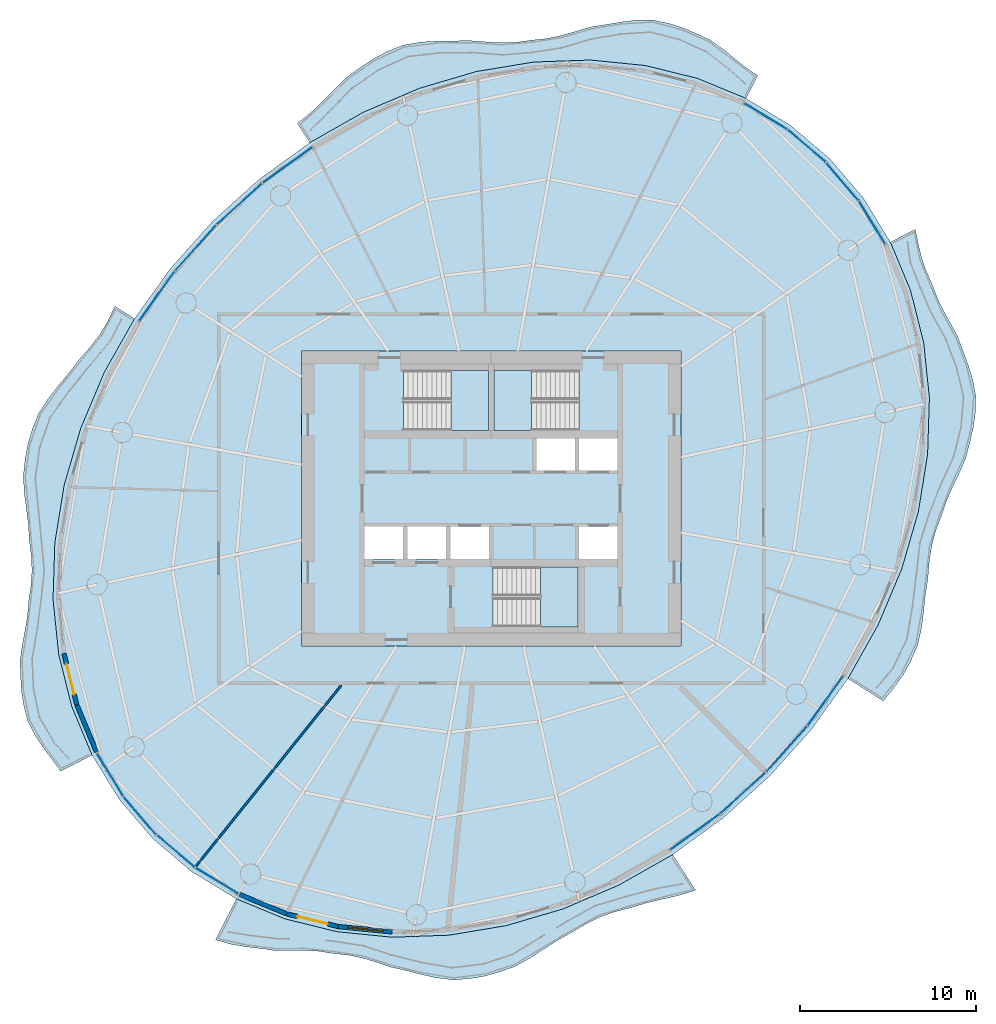
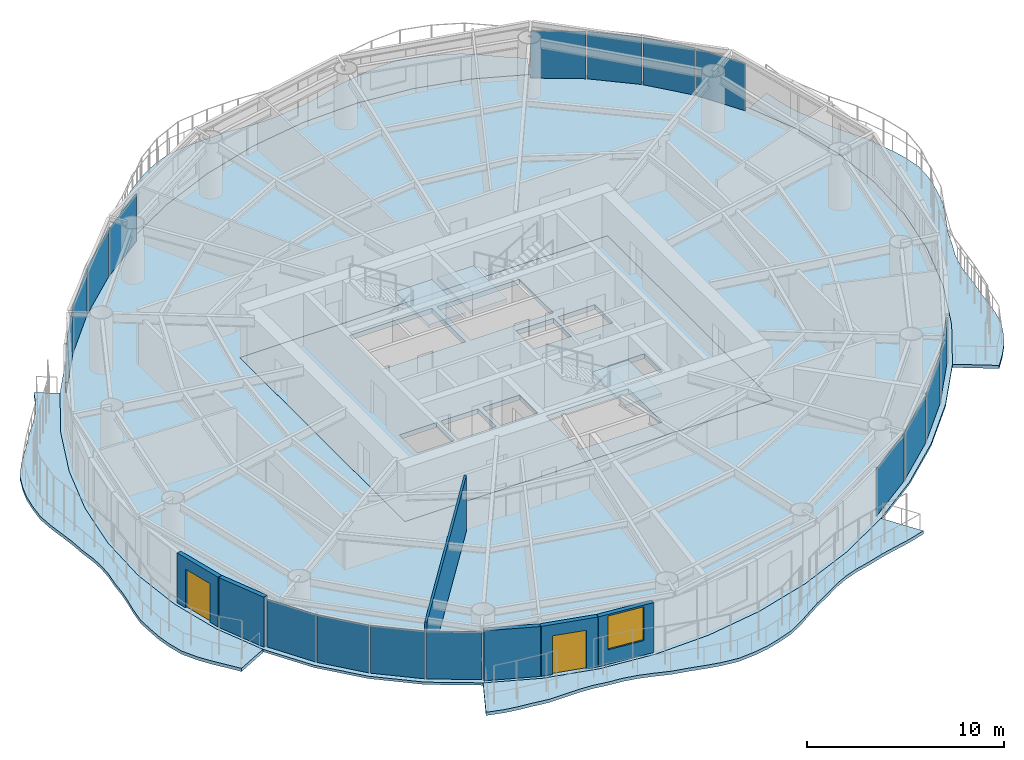
# One storey, part 7 of 14: 16 plates, 9 slabs, 6 walls, 2 doors, 1 window, 3 openings, 19 elements without a shape of their own.
"""IFC4 building model written with IfcOpenShell, lengths in metres."""

from ifc_helpers import new_model, si_unit, direction, frame, frame_2d, origin, origin_2d, place, context, subcontext, project, spatial, polyline, rectangle, outline, extrude, material, layer, layer_set, type_object, element, fill, aggregate, save


model = new_model("IFC4")

# Units and contexts
model_context = context("Model", 3, precision=1e-05, world=origin(), true_north=direction((0.0, 1.0)))
body_context = subcontext(model_context, "Body", "Model", "MODEL_VIEW")
ifc_project = project(units=[si_unit("LENGTHUNIT", "METRE"), si_unit("AREAUNIT", "SQUARE_METRE"), si_unit("VOLUMEUNIT", "CUBIC_METRE"), si_unit("PLANEANGLEUNIT", "RADIAN"), si_unit("MASSUNIT", "GRAM", prefix="KILO")], contexts=[model_context])

# Site, building, storey
site_placement = place(None, origin())
site = spatial("IfcSite", under=ifc_project, at=site_placement, CompositionType="ELEMENT")
building_placement = place(site_placement, origin())
building = spatial("IfcBuilding", under=site, at=building_placement, Name="Vermilion Reach Broadcast Tower", CompositionType="ELEMENT")
storey_placement = place(building_placement, frame((0.0, 0.0, 213.699951171875)))
storey = spatial("IfcBuildingStorey", under=building, at=storey_placement, Name="L52", CompositionType="ELEMENT", Elevation=213.699951171875)

# Slabs
ifc_material_1 = material(Name="Concrete C40/50", Category="concrete")
ifc_layer_1 = layer(ifc_material_1, 0.199951171875)
ifc_layer_set_1 = layer_set([ifc_layer_1], Name="Balcony slab 200")
slab_type_1 = type_object("IfcSlabType", Name="Balcony slab 200", PredefinedType="FLOOR", material=ifc_layer_set_1)
placement_1 = place(storey_placement, frame((0.0, 0.0, -0.199951171875)))
element("IfcSlab", 1, at=placement_1, inside=storey, type_object=slab_type_1, Name="Balcony slab L52 group 1", PredefinedType="FLOOR", context=body_context, shape_type="SweptSolid", body=[
    extrude(outline(polyline([(8.508544921875, 22.77734375), (5.734375, 23.91943359375), (2.75927734375, 24.65234375), (-0.365478515625, 24.963623046875), (-3.586669921875, 24.84765625), (-6.849365234375, 24.306396484375), (-10.097412109375, 23.349365234375), (-13.275146484375, 21.992919921875), (-16.32861328125, 20.260009765625), (-17.03466796875, 21.35888671875), (-16.281982421875, 21.9560546875), (-15.627197265625, 22.58056640625), (-14.9921875, 23.239990234375), (-14.2509765625, 23.962890625), (-13.430419921875, 24.556884765625), (-12.6982421875, 25.04150390625), (-11.93115234375, 25.4453125), (-10.98486328125, 25.819091796875), (-9.992431640625, 25.988037109375), (-9.125732421875, 26.042236328125), (-8.24560546875, 26.050048828125), (-7.254638671875, 26.07421875), (-6.291748046875, 25.99755859375), (-5.44580078125, 25.9501953125), (-4.611572265625, 25.973876953125), (-3.712158203125, 26.095703125), (-2.82861328125, 26.18798828125), (-2.0283203125, 26.355224609375), (-1.230224609375, 26.583740234375), (-0.3056640625, 26.853271484375), (0.626220703125, 26.99951171875), (1.428955078125, 27.13818359375), (2.227294921875, 27.231689453125), (3.204833984375, 27.241455078125), (4.136962890625, 27.041748046875), (4.869140625, 26.811279296875), (5.583984375, 26.510986328125), (6.45166015625, 26.11279296875), (7.222900390625, 25.564697265625), (7.82958984375, 25.068359375), (8.43994140625, 24.580810546875), (9.167236328125, 24.08056640625), (8.508544921875, 22.77734375)])), origin(), (0.0, 0.0, 1.0), 0.199951171875),
])
element("IfcSlab", 2, at=placement_1, inside=storey, type_object=slab_type_1, Name="Balcony slab L52 group 2", PredefinedType="FLOOR", context=body_context, shape_type="SweptSolid", body=[
    extrude(outline(polyline([(-26.302978515625, 10.24365234375), (-28.023193359375, 7.18310546875), (-29.3662109375, 3.99951171875), (-30.309814453125, 0.74755859375), (-30.837158203125, -2.517333984375), (-30.939697265625, -5.739013671875), (-30.615478515625, -8.862548828125), (-29.8701171875, -11.83447265625), (-28.71630859375, -14.603759765625), (-30.508056640625, -15.5185546875), (-31.060546875, -14.76806640625), (-31.5263671875, -14.1494140625), (-31.94580078125, -13.51171875), (-32.38134765625, -12.667236328125), (-32.618896484375, -11.734130859375), (-32.734375, -10.973388671875), (-32.783447265625, -10.196044921875), (-32.81982421875, -9.25146484375), (-32.68701171875, -8.288330078125), (-32.531982421875, -7.48291015625), (-32.3984375, -6.6796875), (-32.32080078125, -5.78857421875), (-32.187744140625, -4.89306640625), (-32.140380859375, -4.08837890625), (-32.178466796875, -3.28076171875), (-32.290771484375, -2.37744140625), (-32.3486328125, -1.435546875), (-32.457763671875, -0.58056640625), (-32.572021484375, 0.275390625), (-32.636474609375, 1.27099609375), (-32.523681640625, 2.271240234375), (-32.37353515625, 3.109130859375), (-32.1337890625, 3.9208984375), (-31.76416015625, 4.849853515625), (-31.204345703125, 5.712646484375), (-30.649658203125, 6.416015625), (-30.072509765625, 7.110107421875), (-29.471923828125, 7.89306640625), (-28.8193359375, 8.637451171875), (-28.27978515625, 9.341064453125), (-27.824951171875, 10.09228515625), (-27.42236328125, 10.956298828125), (-26.302978515625, 10.24365234375)])), origin(), (0.0, 0.0, 1.0), 0.199951171875),
])
element("IfcSlab", 3, at=placement_1, inside=storey, type_object=slab_type_1, Name="Balcony slab L52 group 3", PredefinedType="FLOOR", context=body_context, shape_type="SweptSolid", body=[
    extrude(outline(polyline([(-20.508544921875, -22.77734375), (-17.734375, -23.91943359375), (-14.75927734375, -24.65234375), (-11.634521484375, -24.963623046875), (-8.413330078125, -24.84765625), (-5.150634765625, -24.306396484375), (-1.902587890625, -23.349365234375), (1.275146484375, -21.992919921875), (4.32861328125, -20.260009765625), (5.636962890625, -22.29638671875), (4.645263671875, -22.59619140625), (3.751953125, -22.80029296875), (2.860595703125, -23.0078125), (1.91845703125, -23.29150390625), (0.992431640625, -23.530517578125), (0.177001953125, -23.82080078125), (-0.599609375, -24.20166015625), (-1.417236328125, -24.69970703125), (-2.251708984375, -25.159423828125), (-2.993896484375, -25.635986328125), (-3.733642578125, -26.120849609375), (-4.61962890625, -26.621826171875), (-5.550537109375, -26.94873046875), (-6.350830078125, -27.177001953125), (-7.165283203125, -27.318115234375), (-8.15673828125, -27.398193359375), (-9.132080078125, -27.276611328125), (-9.945068359375, -27.093994140625), (-10.759033203125, -26.882080078125), (-11.688720703125, -26.67431640625), (-12.564453125, -26.379638671875), (-13.330322265625, -26.148193359375), (-14.103271484375, -25.986572265625), (-14.97314453125, -25.8955078125), (-15.821533203125, -25.761962890625), (-16.599365234375, -25.71630859375), (-17.389404296875, -25.721923828125), (-18.324462890625, -25.72412109375), (-19.2353515625, -25.5947265625), (-20.008544921875, -25.502685546875), (-20.766357421875, -25.373291015625), (-21.688720703125, -25.113037109375), (-20.508544921875, -22.77734375)])), origin(), (0.0, 0.0, 1.0), 0.199951171875),
])
element("IfcSlab", 4, at=placement_1, inside=storey, type_object=slab_type_1, Name="Balcony slab L52 group 4", PredefinedType="FLOOR", context=body_context, shape_type="SweptSolid", body=[
    extrude(outline(polyline([(14.302978515625, -10.24365234375), (16.023193359375, -7.18310546875), (17.3662109375, -3.99951171875), (18.309814453125, -0.74755859375), (18.837158203125, 2.517333984375), (18.939697265625, 5.739013671875), (18.615478515625, 8.862548828125), (17.8701171875, 11.83447265625), (16.71630859375, 14.603759765625), (18.145263671875, 15.333251953125), (18.318603515625, 14.458984375), (18.49609375, 13.72021484375), (18.73681640625, 13.008056640625), (19.082763671875, 12.236572265625), (19.38623046875, 11.425048828125), (19.72900390625, 10.72119140625), (20.116455078125, 10.02880859375), (20.560546875, 9.20556640625), (20.888671875, 8.309326171875), (21.173095703125, 7.54931640625), (21.404296875, 6.7841796875), (21.583740234375, 5.833740234375), (21.551513671875, 4.849609375), (21.440673828125, 4.046875), (21.256103515625, 3.24658203125), (21.0126953125, 2.307861328125), (20.613525390625, 1.392822265625), (20.23876953125, 0.615966796875), (19.897705078125, -0.16650390625), (19.60400390625, -1.03857421875), (19.27734375, -1.90966796875), (19.063720703125, -2.72900390625), (18.9375, -3.57373046875), (18.857666015625, -4.5283203125), (18.71142578125, -5.504638671875), (18.6171875, -6.40234375), (18.50537109375, -7.292724609375), (18.289306640625, -8.29345703125), (17.88623046875, -9.23681640625), (17.466796875, -10.008056640625), (16.9599609375, -10.72998046875), (16.312744140625, -11.52294921875), (14.302978515625, -10.24365234375)])), origin(), (0.0, 0.0, 1.0), 0.199951171875),
])
ifc_material_2 = material(Name="Concrete C40", Category="concrete")
ifc_layer_2 = layer(ifc_material_2, 0.300048828125)
ifc_layer_set_2 = layer_set([ifc_layer_2], Name="Core floor slab 300 mm Concrete C40")
slab_type_2 = type_object("IfcSlabType", Name="Core floor slab 300 mm Concrete C40", PredefinedType="FLOOR", material=ifc_layer_set_2)
slab_5_placement = place(storey_placement, frame((0.0, 0.0, -0.300048828125)))
element("IfcSlab", 5, at=slab_5_placement, inside=storey, type_object=slab_type_2, Name="L52 core floor", PredefinedType="FLOOR", context=body_context, shape_type="SweptSolid", body=[
    extrude(outline(polyline([(-16.800048828125, -8.39990234375), (4.800048828125, -8.39990234375), (4.800048828125, 8.39990234375), (-16.800048828125, 8.39990234375), (-16.800048828125, -8.39990234375)]), holes=[polyline([(-3.433349609375, 1.60009765625), (-1.24169921875, 1.60009765625), (-1.24169921875, 3.429931640625), (-3.433349609375, 3.429931640625), (-3.433349609375, 1.60009765625)]), polyline([(-0.99169921875, 1.60009765625), (1.199951171875, 1.60009765625), (1.199951171875, 3.429931640625), (-0.99169921875, 3.429931640625), (-0.99169921875, 1.60009765625)]), polyline([(-13.199951171875, -3.429931640625), (-11.00830078125, -3.429931640625), (-11.00830078125, -1.60009765625), (-13.199951171875, -1.60009765625), (-13.199951171875, -3.429931640625)]), polyline([(-10.75830078125, -3.429931640625), (-8.566650390625, -3.429931640625), (-8.566650390625, -1.60009765625), (-10.75830078125, -1.60009765625), (-10.75830078125, -3.429931640625)]), polyline([(-8.316650390625, -3.429931640625), (-6.125, -3.429931640625), (-6.125, -1.60009765625), (-8.316650390625, -1.60009765625), (-8.316650390625, -3.429931640625)]), polyline([(-0.99169921875, -3.429931640625), (1.199951171875, -3.429931640625), (1.199951171875, -1.60009765625), (-0.99169921875, -1.60009765625), (-0.99169921875, -3.429931640625)]), polyline([(-10.999267578125, 3.8798828125), (-6.14990234375, 3.8798828125), (-6.14990234375, 7.300048828125), (-10.999267578125, 7.300048828125), (-10.999267578125, 3.8798828125)]), polyline([(-1.000732421875, 7.300048828125), (-5.85009765625, 7.300048828125), (-5.85009765625, 3.8798828125), (-1.000732421875, 3.8798828125), (-1.000732421875, 7.300048828125)]), polyline([(-5.8994140625, -7.300048828125), (-1.050048828125, -7.300048828125), (-1.050048828125, -3.8798828125), (-5.8994140625, -3.8798828125), (-5.8994140625, -7.300048828125)])]), origin(), (0.0, 0.0, 1.0), 0.300048828125),
])

# Stair, slab
ifc_material_3 = material(Name="Concrete C40", Category="concrete")
stair_type = type_object("IfcStairType", Name="Exit stair RC 22 risers 164 mm", PredefinedType="HALF_TURN_STAIR", material=ifc_material_3)
placement_2 = place(storey_placement, origin())
stair_1 = element("IfcStair", 6, at=placement_2, inside=storey, type_object=stair_type, Name="L52 Exit stair ST1", PredefinedType="HALF_TURN_STAIR")
ifc_material_4 = material(Name="Concrete C40", Category="concrete")
ifc_layer_3 = layer(ifc_material_4, 0.199951171875)
ifc_layer_set_3 = layer_set([ifc_layer_3], Name="Exit stair landing Concrete C40")
slab_type_3 = type_object("IfcSlabType", Name="Exit stair landing Concrete C40", PredefinedType="LANDING", material=ifc_layer_set_3)
placement_3 = place(storey_placement, frame((0.0, 0.0, 1.60009765625)))
slab_6 = element("IfcSlab", 7, at=placement_3, type_object=slab_type_3, Name="ST1 landing 1", PredefinedType="LANDING", context=body_context, shape_type="SweptSolid", body=[
    extrude(outline(polyline([(-8.300048828125, 3.8798828125), (-6.14990234375, 3.8798828125), (-6.14990234375, 7.300048828125), (-8.300048828125, 7.300048828125), (-8.300048828125, 3.8798828125)])), origin(), (0.0, 0.0, 1.0), 0.199951171875),
])
aggregate(stair_1, [slab_6])

stair_2 = element("IfcStair", 8, at=placement_2, inside=storey, type_object=stair_type, Name="L52 Exit stair ST2", PredefinedType="HALF_TURN_STAIR")
slab_7 = element("IfcSlab", 9, at=placement_3, type_object=slab_type_3, Name="ST2 landing 1", PredefinedType="LANDING", context=body_context, shape_type="SweptSolid", body=[
    extrude(outline(polyline([(-3.699951171875, 7.300048828125), (-5.85009765625, 7.300048828125), (-5.85009765625, 3.8798828125), (-3.699951171875, 3.8798828125), (-3.699951171875, 7.300048828125)])), origin(), (0.0, 0.0, 1.0), 0.199951171875),
])
aggregate(stair_2, [slab_7])

stair_3 = element("IfcStair", 10, at=placement_2, inside=storey, type_object=stair_type, Name="L52 Exit stair ST3", PredefinedType="HALF_TURN_STAIR")
slab_8 = element("IfcSlab", 11, at=placement_3, type_object=slab_type_3, Name="ST3 landing 1", PredefinedType="LANDING", context=body_context, shape_type="SweptSolid", body=[
    extrude(outline(polyline([(-3.199951171875, -7.300048828125), (-1.050048828125, -7.300048828125), (-1.050048828125, -3.8798828125), (-3.199951171875, -3.8798828125), (-3.199951171875, -7.300048828125)])), origin(), (0.0, 0.0, 1.0), 0.199951171875),
])
aggregate(stair_3, [slab_8])

# Slab
ifc_material_5 = material(Name="Concrete C40", Category="concrete")
ifc_layer_4 = layer(ifc_material_5, 0.14990234375)
ifc_layer_set_4 = layer_set([ifc_layer_4], Name="Floor slab Concrete C40 composite 150")
slab_type_4 = type_object("IfcSlabType", Name="Floor slab Concrete C40 composite 150", PredefinedType="FLOOR", material=ifc_layer_set_4)
slab_9_placement = place(storey_placement, frame((0.0, 0.0, -0.14990234375)))
element("IfcSlab", 12, at=slab_9_placement, inside=storey, type_object=slab_type_4, Name="Floor slab L52", PredefinedType="FLOOR", context=body_context, shape_type="SweptSolid", body=[
    extrude(outline(polyline([(13.26904296875, 19.349853515625), (11.034423828125, 21.245361328125), (8.508544921875, 22.77734375), (5.734375, 23.91943359375), (2.75927734375, 24.65234375), (-0.365478515625, 24.963623046875), (-3.586669921875, 24.84765625), (-6.849365234375, 24.306396484375), (-10.097412109375, 23.349365234375), (-13.275146484375, 21.992919921875), (-16.32861328125, 20.260009765625), (-19.205322265625, 18.180419921875), (-21.856201171875, 15.789794921875), (-24.235595703125, 13.129150390625), (-26.302978515625, 10.24365234375), (-28.023193359375, 7.18310546875), (-29.3662109375, 3.99951171875), (-30.309814453125, 0.74755859375), (-30.837158203125, -2.517333984375), (-30.939697265625, -5.739013671875), (-30.615478515625, -8.862548828125), (-29.8701171875, -11.83447265625), (-28.71630859375, -14.603759765625), (-27.173828125, -17.123291015625), (-25.26904296875, -19.349853515625), (-23.034423828125, -21.245361328125), (-20.508544921875, -22.77734375), (-17.734375, -23.91943359375), (-14.75927734375, -24.65234375), (-11.634521484375, -24.963623046875), (-8.413330078125, -24.84765625), (-5.150634765625, -24.306396484375), (-1.902587890625, -23.349365234375), (1.275146484375, -21.992919921875), (4.32861328125, -20.260009765625), (7.205322265625, -18.180419921875), (9.856201171875, -15.789794921875), (12.235595703125, -13.129150390625), (14.302978515625, -10.24365234375), (16.023193359375, -7.18310546875), (17.3662109375, -3.99951171875), (18.309814453125, -0.74755859375), (18.837158203125, 2.517333984375), (18.939697265625, 5.739013671875), (18.615478515625, 8.862548828125), (17.8701171875, 11.83447265625), (16.71630859375, 14.603759765625), (15.173828125, 17.123291015625), (13.26904296875, 19.349853515625)]), holes=[polyline([(-16.800048828125, -8.39990234375), (4.800048828125, -8.39990234375), (4.800048828125, 8.39990234375), (-16.800048828125, 8.39990234375), (-16.800048828125, -8.39990234375)])]), origin(), (0.0, 0.0, 1.0), 0.14990234375),
])

# Curtain wall, plate
ifc_material_6 = material(Name="Low-e laminated clear glass in aluminium frame", Category="aluminium")
curtain_wall_type = type_object("IfcCurtainWallType", Name="Slot curtain wall", PredefinedType="NOTDEFINED", material=ifc_material_6)
curtain_wall_1 = element("IfcCurtainWall", 13, at=placement_2, inside=storey, type_object=curtain_wall_type, Name="Slot curtain wall L52 46", PredefinedType="NOTDEFINED")
ifc_material_7 = material(Name="Low-e laminated clear glass", Category="glass")
ifc_layer_5 = layer(ifc_material_7, 0.028076171875)
ifc_layer_set_5 = layer_set([ifc_layer_5], Name="Slot glass panel")
plate_type = type_object("IfcPlateType", Name="Slot glass panel", PredefinedType="CURTAIN_PANEL", material=ifc_layer_set_5)
plate_1_placement = place(storey_placement, frame((15.68994140625, 15.707275390625, 0.0), z_axis=(0.0, 0.0, 1.0), x_axis=(-0.522133379761, 0.852863842439, 0.0)))
plate_1 = element("IfcPlate", 14, at=plate_1_placement, type_object=plate_type, Name="Slot glass panel L52 46", PredefinedType="CURTAIN_PANEL", context=body_context, shape_type="SweptSolid", body=[
    extrude(rectangle(XDim=2.8271484375, YDim=0.028076171875, at=origin_2d()), origin(), (0.0, 0.0, 1.0), 2.949951171875),
])
aggregate(curtain_wall_1, [plate_1])

curtain_wall_2 = element("IfcCurtainWall", 15, at=placement_2, inside=storey, type_object=curtain_wall_type, Name="Slot curtain wall L52 47", PredefinedType="NOTDEFINED")
plate_2_placement = place(storey_placement, frame((13.994140625, 18.042236328125, 0.0), z_axis=(0.0, 0.0, 1.0), x_axis=(-0.650068403519, 0.759875694272, 0.0)))
plate_2 = element("IfcPlate", 16, at=plate_2_placement, type_object=plate_type, Name="Slot glass panel L52 47", PredefinedType="CURTAIN_PANEL", context=body_context, shape_type="SweptSolid", body=[
    extrude(rectangle(XDim=2.802490234375, YDim=0.028076171875, at=origin_2d()), origin(), (0.0, 0.0, 1.0), 2.949951171875),
])
aggregate(curtain_wall_2, [plate_2])

curtain_wall_3 = element("IfcCurtainWall", 17, at=placement_2, inside=storey, type_object=curtain_wall_type, Name="Slot curtain wall L52 00", PredefinedType="NOTDEFINED")
plate_3_placement = place(storey_placement, frame((11.958251953125, 20.069580078125, 0.0), z_axis=(0.0, 0.0, 1.0), x_axis=(-0.762591924928, 0.646879862134, 0.0)))
plate_3 = element("IfcPlate", 18, at=plate_3_placement, type_object=plate_type, Name="Slot glass panel L52 00", PredefinedType="CURTAIN_PANEL", context=body_context, shape_type="SweptSolid", body=[
    extrude(rectangle(XDim=2.802490234375, YDim=0.028076171875, at=origin_2d()), origin(), (0.0, 0.0, 1.0), 2.949951171875),
])
aggregate(curtain_wall_3, [plate_3])

curtain_wall_4 = element("IfcCurtainWall", 19, at=placement_2, inside=storey, type_object=curtain_wall_type, Name="Slot curtain wall L52 01", PredefinedType="NOTDEFINED")
plate_4_placement = place(storey_placement, frame((9.6162109375, 21.755615234375, 0.0), z_axis=(0.0, 0.0, 1.0), x_axis=(-0.855043605419, 0.518556103842, 0.0)))
plate_4 = element("IfcPlate", 20, at=plate_4_placement, type_object=plate_type, Name="Slot glass panel L52 01", PredefinedType="CURTAIN_PANEL", context=body_context, shape_type="SweptSolid", body=[
    extrude(rectangle(XDim=2.8271484375, YDim=0.028076171875, at=origin_2d()), origin(), (0.0, 0.0, 1.0), 2.949951171875),
])
aggregate(curtain_wall_4, [plate_4])

curtain_wall_5 = element("IfcCurtainWall", 21, at=placement_2, inside=storey, type_object=curtain_wall_type, Name="Slot curtain wall L52 10", PredefinedType="NOTDEFINED")
plate_5_placement = place(storey_placement, frame((-17.591552734375, 18.977294921875, 0.0), z_axis=(0.0, 0.0, 1.0), x_axis=(-0.81042572008, -0.585841405358, 0.0)))
plate_5 = element("IfcPlate", 22, at=plate_5_placement, type_object=plate_type, Name="Slot glass panel L52 10", PredefinedType="CURTAIN_PANEL", context=body_context, shape_type="SweptSolid", body=[
    extrude(rectangle(XDim=3.43701171875, YDim=0.028076171875, at=origin_2d()), origin(), (0.0, 0.0, 1.0), 2.949951171875),
])
aggregate(curtain_wall_5, [plate_5])

curtain_wall_6 = element("IfcCurtainWall", 23, at=placement_2, inside=storey, type_object=curtain_wall_type, Name="Slot curtain wall L52 11", PredefinedType="NOTDEFINED")
plate_6_placement = place(storey_placement, frame((-20.330078125, 16.7626953125, 0.0), z_axis=(0.0, 0.0, 1.0), x_axis=(-0.742611163922, -0.66972282268, 0.0)))
plate_6 = element("IfcPlate", 24, at=plate_6_placement, type_object=plate_type, Name="Slot glass panel L52 11", PredefinedType="CURTAIN_PANEL", context=body_context, shape_type="SweptSolid", body=[
    extrude(rectangle(XDim=3.457275390625, YDim=0.028076171875, at=origin_2d()), origin(), (0.0, 0.0, 1.0), 2.949951171875),
])
aggregate(curtain_wall_6, [plate_6])

curtain_wall_7 = element("IfcCurtainWall", 25, at=placement_2, inside=storey, type_object=curtain_wall_type, Name="Slot curtain wall L52 12", PredefinedType="NOTDEFINED")
plate_7_placement = place(storey_placement, frame((-22.822509765625, 14.259765625, 0.0), z_axis=(0.0, 0.0, 1.0), x_axis=(-0.666606336873, -0.745409948713, 0.0)))
plate_7 = element("IfcPlate", 26, at=plate_7_placement, type_object=plate_type, Name="Slot glass panel L52 12", PredefinedType="CURTAIN_PANEL", context=body_context, shape_type="SweptSolid", body=[
    extrude(rectangle(XDim=3.457275390625, YDim=0.028076171875, at=origin_2d()), origin(), (0.0, 0.0, 1.0), 2.949951171875),
])
aggregate(curtain_wall_7, [plate_7])

curtain_wall_8 = element("IfcCurtainWall", 27, at=placement_2, inside=storey, type_object=curtain_wall_type, Name="Slot curtain wall L52 13", PredefinedType="NOTDEFINED")
plate_8_placement = place(storey_placement, frame((-25.02587890625, 11.511962890625, 0.0), z_axis=(0.0, 0.0, 1.0), x_axis=(-0.582441588828, -0.812872558033, 0.0)))
plate_8 = element("IfcPlate", 28, at=plate_8_placement, type_object=plate_type, Name="Slot glass panel L52 13", PredefinedType="CURTAIN_PANEL", context=body_context, shape_type="SweptSolid", body=[
    extrude(rectangle(XDim=3.43701171875, YDim=0.028076171875, at=origin_2d()), origin(), (0.0, 0.0, 1.0), 2.949951171875),
])
aggregate(curtain_wall_8, [plate_8])

curtain_wall_9 = element("IfcCurtainWall", 29, at=placement_2, inside=storey, type_object=curtain_wall_type, Name="Slot curtain wall L52 22", PredefinedType="NOTDEFINED")
plate_9_placement = place(storey_placement, frame((-27.68994140625, -15.707275390625, 0.0), z_axis=(0.0, 0.0, 1.0), x_axis=(0.522133379761, -0.852863842439, 0.0)))
plate_9 = element("IfcPlate", 30, at=plate_9_placement, type_object=plate_type, Name="Slot glass panel L52 22", PredefinedType="CURTAIN_PANEL", context=body_context, shape_type="SweptSolid", body=[
    extrude(rectangle(XDim=2.8271484375, YDim=0.028076171875, at=origin_2d()), origin(), (0.0, 0.0, 1.0), 2.949951171875),
])
aggregate(curtain_wall_9, [plate_9])

curtain_wall_10 = element("IfcCurtainWall", 31, at=placement_2, inside=storey, type_object=curtain_wall_type, Name="Slot curtain wall L52 23", PredefinedType="NOTDEFINED")
plate_10_placement = place(storey_placement, frame((-25.994140625, -18.042236328125, 0.0), z_axis=(0.0, 0.0, 1.0), x_axis=(0.650068403519, -0.759875694272, 0.0)))
plate_10 = element("IfcPlate", 32, at=plate_10_placement, type_object=plate_type, Name="Slot glass panel L52 23", PredefinedType="CURTAIN_PANEL", context=body_context, shape_type="SweptSolid", body=[
    extrude(rectangle(XDim=2.802490234375, YDim=0.028076171875, at=origin_2d()), origin(), (0.0, 0.0, 1.0), 2.949951171875),
])
aggregate(curtain_wall_10, [plate_10])

curtain_wall_11 = element("IfcCurtainWall", 33, at=placement_2, inside=storey, type_object=curtain_wall_type, Name="Slot curtain wall L52 24", PredefinedType="NOTDEFINED")
plate_11_placement = place(storey_placement, frame((-23.958251953125, -20.069580078125, 0.0), z_axis=(0.0, 0.0, 1.0), x_axis=(0.762591924928, -0.646879862134, 0.0)))
plate_11 = element("IfcPlate", 34, at=plate_11_placement, type_object=plate_type, Name="Slot glass panel L52 24", PredefinedType="CURTAIN_PANEL", context=body_context, shape_type="SweptSolid", body=[
    extrude(rectangle(XDim=2.802490234375, YDim=0.028076171875, at=origin_2d()), origin(), (0.0, 0.0, 1.0), 2.949951171875),
])
aggregate(curtain_wall_11, [plate_11])

curtain_wall_12 = element("IfcCurtainWall", 35, at=placement_2, inside=storey, type_object=curtain_wall_type, Name="Slot curtain wall L52 25", PredefinedType="NOTDEFINED")
plate_12_placement = place(storey_placement, frame((-21.6162109375, -21.755615234375, 0.0), z_axis=(0.0, 0.0, 1.0), x_axis=(0.855043605419, -0.518556103842, 0.0)))
plate_12 = element("IfcPlate", 36, at=plate_12_placement, type_object=plate_type, Name="Slot glass panel L52 25", PredefinedType="CURTAIN_PANEL", context=body_context, shape_type="SweptSolid", body=[
    extrude(rectangle(XDim=2.8271484375, YDim=0.028076171875, at=origin_2d()), origin(), (0.0, 0.0, 1.0), 2.949951171875),
])
aggregate(curtain_wall_12, [plate_12])

curtain_wall_13 = element("IfcCurtainWall", 37, at=placement_2, inside=storey, type_object=curtain_wall_type, Name="Slot curtain wall L52 34", PredefinedType="NOTDEFINED")
plate_13_placement = place(storey_placement, frame((5.591552734375, -18.977294921875, 0.0), z_axis=(0.0, 0.0, 1.0), x_axis=(0.81042572008, 0.585841405358, 0.0)))
plate_13 = element("IfcPlate", 38, at=plate_13_placement, type_object=plate_type, Name="Slot glass panel L52 34", PredefinedType="CURTAIN_PANEL", context=body_context, shape_type="SweptSolid", body=[
    extrude(rectangle(XDim=3.43701171875, YDim=0.028076171875, at=origin_2d()), origin(), (0.0, 0.0, 1.0), 2.949951171875),
])
aggregate(curtain_wall_13, [plate_13])

curtain_wall_14 = element("IfcCurtainWall", 39, at=placement_2, inside=storey, type_object=curtain_wall_type, Name="Slot curtain wall L52 35", PredefinedType="NOTDEFINED")
plate_14_placement = place(storey_placement, frame((8.330078125, -16.7626953125, 0.0), z_axis=(0.0, 0.0, 1.0), x_axis=(0.742611163922, 0.66972282268, 0.0)))
plate_14 = element("IfcPlate", 40, at=plate_14_placement, type_object=plate_type, Name="Slot glass panel L52 35", PredefinedType="CURTAIN_PANEL", context=body_context, shape_type="SweptSolid", body=[
    extrude(rectangle(XDim=3.457275390625, YDim=0.028076171875, at=origin_2d()), origin(), (0.0, 0.0, 1.0), 2.949951171875),
])
aggregate(curtain_wall_14, [plate_14])

curtain_wall_15 = element("IfcCurtainWall", 41, at=placement_2, inside=storey, type_object=curtain_wall_type, Name="Slot curtain wall L52 36", PredefinedType="NOTDEFINED")
plate_15_placement = place(storey_placement, frame((10.822509765625, -14.259765625, 0.0), z_axis=(0.0, 0.0, 1.0), x_axis=(0.666606336873, 0.745409948713, 0.0)))
plate_15 = element("IfcPlate", 42, at=plate_15_placement, type_object=plate_type, Name="Slot glass panel L52 36", PredefinedType="CURTAIN_PANEL", context=body_context, shape_type="SweptSolid", body=[
    extrude(rectangle(XDim=3.457275390625, YDim=0.028076171875, at=origin_2d()), origin(), (0.0, 0.0, 1.0), 2.949951171875),
])
aggregate(curtain_wall_15, [plate_15])

curtain_wall_16 = element("IfcCurtainWall", 43, at=placement_2, inside=storey, type_object=curtain_wall_type, Name="Slot curtain wall L52 37", PredefinedType="NOTDEFINED")
plate_16_placement = place(storey_placement, frame((13.02587890625, -11.511962890625, 0.0), z_axis=(0.0, 0.0, 1.0), x_axis=(0.582441588828, 0.812872558033, 0.0)))
plate_16 = element("IfcPlate", 44, at=plate_16_placement, type_object=plate_type, Name="Slot glass panel L52 37", PredefinedType="CURTAIN_PANEL", context=body_context, shape_type="SweptSolid", body=[
    extrude(rectangle(XDim=3.43701171875, YDim=0.028076171875, at=origin_2d()), origin(), (0.0, 0.0, 1.0), 2.949951171875),
])
aggregate(curtain_wall_16, [plate_16])

# Wall
ifc_material_8 = material(Name="Fire-rated plasterboard on steel stud", Category="steel")
ifc_layer_6 = layer(ifc_material_8, 0.125)
ifc_layer_set_6 = layer_set([ifc_layer_6], Name="Partition 125 fire-rated stud")
wall_type_1 = type_object("IfcWallType", Name="Partition 125 fire-rated stud", PredefinedType="PARTITIONING", material=ifc_layer_set_6)
wall_1_placement = place(storey_placement, frame((-22.7861328125, -20.900390625, 0.0), z_axis=(0.0, 0.0, 1.0), x_axis=(0.626186985821, 0.779672917824, 0.0)))
element("IfcWall", 45, at=wall_1_placement, inside=storey, type_object=wall_type_1, Name="Partition 52.05", PredefinedType="PARTITIONING", context=body_context, shape_type="SweptSolid", body=[
    extrude(rectangle(XDim=13.160888671875, YDim=0.125, at=frame_2d((6.58056640625, 0.0))), origin(), (0.0, 0.0, 1.0), 3.449951171875),
])

# Wall, opening, door
ifc_material_9 = material(Name="Terracotta rainscreen cladding", Category="masonry")
ifc_layer_7 = layer(ifc_material_9, 0.25)
ifc_layer_set_7 = layer_set([ifc_layer_7], Name="Terracotta rainscreen wall 250")
wall_type_2 = type_object("IfcWallType", Name="Terracotta rainscreen wall 250", PredefinedType="SOLIDWALL", material=ifc_layer_set_7)
wall_2_placement = place(storey_placement, frame((-30.31689453125, -8.8232421875, 0.0), z_axis=(0.0, 0.0, 1.0), x_axis=(0.243245471753, -0.96996476249, 0.0)))
wall_2 = element("IfcWall", 46, at=wall_2_placement, inside=storey, type_object=wall_type_2, Name="External wall L52 20", PredefinedType="SOLIDWALL", context=body_context, shape_type="SweptSolid", body=[
    extrude(rectangle(XDim=2.993896484375, YDim=0.25, at=frame_2d((1.4970703125, 0.0))), origin(), (0.0, 0.0, 1.0), 3.10009765625),
])
opening_1_placement = place(wall_2_placement, frame((0.596923828125, 0.0, 0.0)))
opening_1 = element("IfcOpeningElement", 47, at=opening_1_placement, cuts=wall_2, Name="Opening D70", PredefinedType="OPENING", context=body_context, shape_type="SweptSolid", body=[
    extrude(rectangle(XDim=1.800048828125, YDim=2.39990234375, at=frame_2d((0.89990234375, 1.199951171875))), frame((0.0, 0.135009765625, 0.0), z_axis=(0.0, -1.0, 0.0), x_axis=(1.0, 0.0, 0.0)), (0.0, 0.0, 1.0), 0.27001953125),
])
ifc_material_10 = material(Name="Low-e laminated clear glass in aluminium frame", Category="aluminium")
door_type = type_object("IfcDoorType", Name="Balcony sliding door 1800 x 2400", OperationType="DOUBLE_DOOR_SLIDING", PredefinedType="DOOR", material=ifc_material_10)
door_1_placement = place(opening_1_placement, origin())
door_1 = element("IfcDoor", 48, at=door_1_placement, inside=storey, type_object=door_type, Name="Balcony door L52 run 05", OperationType="DOUBLE_DOOR_SLIDING", OverallHeight=2.39990234375, OverallWidth=1.800048828125, PredefinedType="DOOR", context=body_context, shape_type="SweptSolid", body=[
    extrude(rectangle(XDim=1.800048828125, YDim=2.39990234375, at=frame_2d((0.89990234375, 1.199951171875))), frame((0.0, 0.02490234375, 0.0), z_axis=(0.0, -1.0, 0.0), x_axis=(1.0, 0.0, 0.0)), (0.0, 0.0, 1.0), 0.050048828125),
])
fill(opening_1, door_1)

# Walls
for number, where, z_axis, x_axis, name in (
    (49, (-29.580078125, -11.75244140625, 0.0), (0.0, 0.0, 1.0), (0.384537301957, -0.923109453642, 0.0), "External wall L52 21"),
    (50, (-20.322509765625, -22.5302734375, 0.0), (0.0, 0.0, 1.0), (0.924690360412, -0.380720024901, 0.0), "External wall L52 26"),
):
    element("IfcWall", number, at=place(storey_placement, frame(where, z_axis=z_axis, x_axis=x_axis)), inside=storey, type_object=wall_type_2, Name=name, PredefinedType="SOLIDWALL", context=body_context, shape_type="SweptSolid", body=[
        extrude(rectangle(XDim=2.88623046875, YDim=0.25, at=frame_2d((1.443115234375, 0.0))), origin(), (0.0, 0.0, 1.0), 3.10009765625),
    ])

# Wall, opening, door
wall_3_placement = place(storey_placement, frame((-17.62841796875, -23.637451171875, 0.0), z_axis=(0.0, 0.0, 1.0), x_axis=(0.9709618668, -0.239234306113, 0.0)))
wall_3 = element("IfcWall", 51, at=wall_3_placement, inside=storey, type_object=wall_type_2, Name="External wall L52 27", PredefinedType="SOLIDWALL", context=body_context, shape_type="SweptSolid", body=[
    extrude(rectangle(XDim=2.994140625, YDim=0.25, at=frame_2d((1.4970703125, 0.0))), origin(), (0.0, 0.0, 1.0), 3.10009765625),
])
opening_2_placement = place(wall_3_placement, frame((0.596923828125, 0.0, 0.0)))
opening_2 = element("IfcOpeningElement", 52, at=opening_2_placement, cuts=wall_3, Name="Opening D70", PredefinedType="OPENING", context=body_context, shape_type="SweptSolid", body=[
    extrude(rectangle(XDim=1.800048828125, YDim=2.39990234375, at=frame_2d((0.89990234375, 1.199951171875))), frame((0.0, 0.135009765625, 0.0), z_axis=(0.0, -1.0, 0.0), x_axis=(1.0, 0.0, 0.0)), (0.0, 0.0, 1.0), 0.27001953125),
])
door_2_placement = place(opening_2_placement, origin())
door_2 = element("IfcDoor", 53, at=door_2_placement, inside=storey, type_object=door_type, Name="Balcony door L52 run 07", OperationType="DOUBLE_DOOR_SLIDING", OverallHeight=2.39990234375, OverallWidth=1.800048828125, PredefinedType="DOOR", context=body_context, shape_type="SweptSolid", body=[
    extrude(rectangle(XDim=1.800048828125, YDim=2.39990234375, at=frame_2d((0.89990234375, 1.199951171875))), frame((0.0, 0.02490234375, 0.0), z_axis=(0.0, -1.0, 0.0), x_axis=(1.0, 0.0, 0.0)), (0.0, 0.0, 1.0), 0.050048828125),
])
fill(opening_2, door_2)

# Wall, opening, window
wall_4_placement = place(storey_placement, frame((-14.69580078125, -24.35791015625, 0.0), z_axis=(0.0, 0.0, 1.0), x_axis=(0.995081139356, -0.099063242917, 0.0)))
wall_4 = element("IfcWall", 54, at=wall_4_placement, inside=storey, type_object=wall_type_2, Name="External wall L52 28", PredefinedType="SOLIDWALL", context=body_context, shape_type="SweptSolid", body=[
    extrude(rectangle(XDim=3.0732421875, YDim=0.25, at=frame_2d((1.53662109375, 0.0))), origin(), (0.0, 0.0, 1.0), 3.10009765625),
])
opening_3_placement = place(wall_4_placement, frame((0.53662109375, 0.0, 0.89990234375)))
opening_3 = element("IfcOpeningElement", 55, at=opening_3_placement, cuts=wall_4, Name="Opening W03", PredefinedType="OPENING", context=body_context, shape_type="SweptSolid", body=[
    extrude(rectangle(XDim=2.0, YDim=2.10009765625, at=frame_2d((1.0, 1.050048828125))), frame((0.0, 0.135009765625, 0.0), z_axis=(0.0, -1.0, 0.0), x_axis=(1.0, 0.0, 0.0)), (0.0, 0.0, 1.0), 0.27001953125),
])
ifc_material_11 = material(Name="Low-e laminated clear glass in aluminium frame", Category="aluminium")
window_type = type_object("IfcWindowType", Name="Punched window 2000 x 2100 sill 900", PartitioningType="SINGLE_PANEL", PredefinedType="WINDOW", material=ifc_material_11)
window_placement = place(opening_3_placement, origin())
window = element("IfcWindow", 56, at=window_placement, inside=storey, type_object=window_type, Name="Window L52 28", OverallHeight=2.10009765625, OverallWidth=2.0, PartitioningType="SINGLE_PANEL", PredefinedType="WINDOW", context=body_context, shape_type="SweptSolid", body=[
    extrude(rectangle(XDim=2.0, YDim=2.10009765625, at=frame_2d((1.0, 1.050048828125))), frame((0.0, 0.030029296875, 0.0), z_axis=(0.0, -1.0, 0.0), x_axis=(1.0, 0.0, 0.0)), (0.0, 0.0, 1.0), 0.06005859375),
])
fill(opening_3, window)

save(model, "model.ifc")
